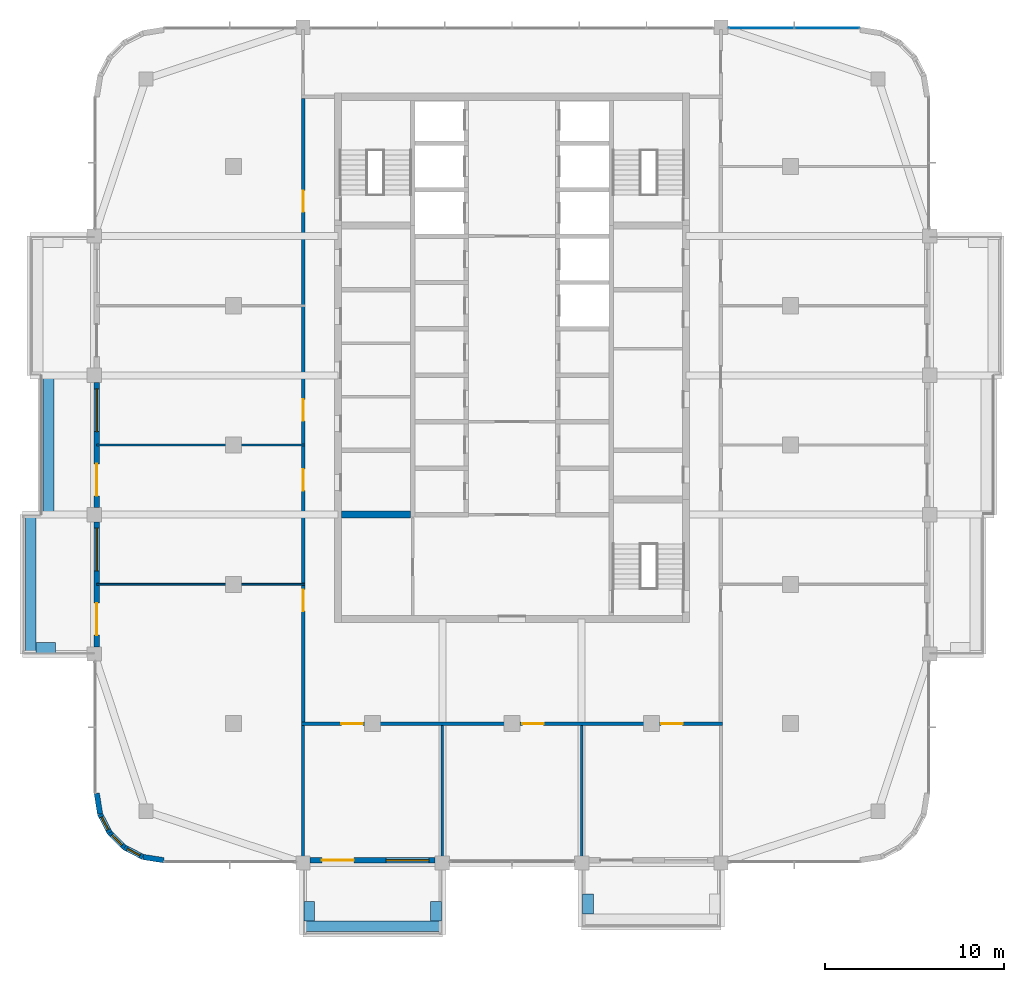
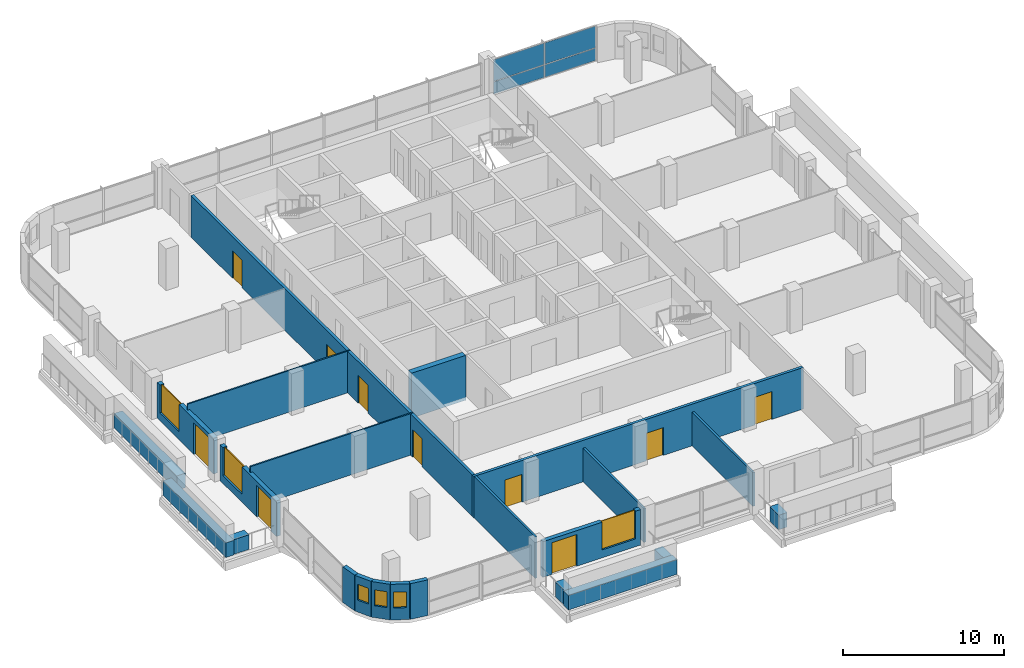
# One storey, part 12 of 22: 23 walls, 10 doors, 6 windows, 4 plates, 16 openings, 1 element without a shape of its own.
"""IFC4 building model written with IfcOpenShell, lengths in metres."""

from ifc_helpers import new_model, si_unit, direction, frame, frame_2d, origin, origin_2d, place, context, subcontext, project, spatial, rectangle, extrude, material, layer, layer_set, type_object, element, fill, aggregate, save


model = new_model("IFC4")

# Units and contexts
model_context = context("Model", 3, precision=1e-05, world=origin(), true_north=direction((0.0, 1.0)))
body_context = subcontext(model_context, "Body", "Model", "MODEL_VIEW")
ifc_project = project(units=[si_unit("LENGTHUNIT", "METRE"), si_unit("AREAUNIT", "SQUARE_METRE"), si_unit("VOLUMEUNIT", "CUBIC_METRE"), si_unit("PLANEANGLEUNIT", "RADIAN"), si_unit("MASSUNIT", "GRAM", prefix="KILO")], contexts=[model_context])

# Site, building, storey
site_placement = place(None, origin())
site = spatial("IfcSite", under=ifc_project, at=site_placement, CompositionType="ELEMENT")
building_placement = place(site_placement, origin())
building = spatial("IfcBuilding", under=site, at=building_placement, Name="Ludao Terraces", CompositionType="ELEMENT")
storey_placement = place(building_placement, frame((0.0, 0.0, 200.699951171875)))
storey = spatial("IfcBuildingStorey", under=building, at=storey_placement, Name="L54", CompositionType="ELEMENT", Elevation=200.699951171875)

# Curtain wall, plates
ifc_material_1 = material(Name="Aluminium curtain wall with fritted glass", Category="aluminium")
curtain_wall_type = type_object("IfcCurtainWallType", Name="ENV CW3 community glazing", PredefinedType="NOTDEFINED", material=ifc_material_1)
curtain_wall_placement = place(storey_placement, origin())
curtain_wall = element("IfcCurtainWall", 1, at=curtain_wall_placement, inside=storey, type_object=curtain_wall_type, Name="Community floor glazing L54 N3", PredefinedType="NOTDEFINED")
ifc_material_2 = material(Name="Fritted glass panel", Category="glass")
ifc_layer_1 = layer(ifc_material_2, 0.02392578125)
ifc_layer_set_1 = layer_set([ifc_layer_1], Name="ENV CW3 glass panel")
plate_type = type_object("IfcPlateType", Name="ENV CW3 glass panel", PredefinedType="CURTAIN_PANEL", material=ifc_layer_set_1)
plate_1_placement = place(storey_placement, frame((98.96240234375, 88.340087890625, 0.0498046875), z_axis=(0.0, 0.0, 1.0), x_axis=(1.0, 0.0, 0.0)))
plate_1 = element("IfcPlate", 2, at=plate_1_placement, type_object=plate_type, Name="CW3 panel 1.1", PredefinedType="CURTAIN_PANEL", context=body_context, shape_type="SweptSolid", body=[
    extrude(rectangle(XDim=3.625, YDim=0.02392578125, at=origin_2d()), origin(), (0.0, 0.0, 1.0), 0.925048828125),
])
plate_2_placement = place(storey_placement, frame((98.96240234375, 88.340087890625, 1.025146484375), z_axis=(0.0, 0.0, 1.0), x_axis=(1.0, 0.0, 0.0)))
plate_2 = element("IfcPlate", 3, at=plate_2_placement, type_object=plate_type, Name="CW3 panel 1.2", PredefinedType="CURTAIN_PANEL", context=body_context, shape_type="SweptSolid", body=[
    extrude(rectangle(XDim=3.625, YDim=0.02392578125, at=origin_2d()), origin(), (0.0, 0.0, 1.0), 1.625),
])
plate_3_placement = place(storey_placement, frame((102.637451171875, 88.340087890625, 0.0498046875), z_axis=(0.0, 0.0, 1.0), x_axis=(1.0, 0.0, 0.0)))
plate_3 = element("IfcPlate", 4, at=plate_3_placement, type_object=plate_type, Name="CW3 panel 2.1", PredefinedType="CURTAIN_PANEL", context=body_context, shape_type="SweptSolid", body=[
    extrude(rectangle(XDim=3.625, YDim=0.02392578125, at=origin_2d()), origin(), (0.0, 0.0, 1.0), 0.925048828125),
])
plate_4_placement = place(storey_placement, frame((102.637451171875, 88.340087890625, 1.025146484375), z_axis=(0.0, 0.0, 1.0), x_axis=(1.0, 0.0, 0.0)))
plate_4 = element("IfcPlate", 5, at=plate_4_placement, type_object=plate_type, Name="CW3 panel 2.2", PredefinedType="CURTAIN_PANEL", context=body_context, shape_type="SweptSolid", body=[
    extrude(rectangle(XDim=3.625, YDim=0.02392578125, at=origin_2d()), origin(), (0.0, 0.0, 1.0), 1.625),
])
aggregate(curtain_wall, [plate_1, plate_2, plate_3, plate_4])

# Walls
ifc_material_3 = material(Name="Concrete C40", Category="concrete")
ifc_layer_2 = layer(ifc_material_3, 0.60009765625)
ifc_layer_set_2 = layer_set([ifc_layer_2], Name="ENV Planter trough 600")
wall_type_1 = type_object("IfcWallType", Name="ENV Planter trough 600", PredefinedType="USERDEFINED", material=ifc_layer_set_2)
wall_1_placement = place(storey_placement, frame((73.300048828125, 38.050048828125, 0.0), z_axis=(0.0, 0.0, 1.0), x_axis=(1.0, 0.0, 0.0)))
element("IfcWall", 6, at=wall_1_placement, inside=storey, type_object=wall_type_1, Name="PL-L54-S1", ObjectType="PLANTER", PredefinedType="USERDEFINED", context=body_context, shape_type="SweptSolid", body=[
    extrude(rectangle(XDim=7.800048828125, YDim=0.60009765625, at=frame_2d((3.89990234375, 0.0))), origin(), (0.0, 0.0, 1.0), 1.10009765625),
])
for number, where, z_axis, x_axis, name in (
    (7, (73.64990234375, 38.35009765625, 0.0), (0.0, 0.0, 1.0), (0.0, 1.0, 0.0), "PL-L54-S1-SA"),
    (8, (80.75, 38.35009765625, 0.0), (0.0, 0.0, 1.0), (0.0, 1.0, 0.0), "PL-L54-S1-SB"),
):
    element("IfcWall", number, at=place(storey_placement, frame(where, z_axis=z_axis, x_axis=x_axis)), inside=storey, type_object=wall_type_1, Name=name, ObjectType="PLANTER", PredefinedType="USERDEFINED", context=body_context, shape_type="SweptSolid", body=[
        extrude(rectangle(XDim=1.099853515625, YDim=0.60009765625, at=frame_2d((0.5498046875, 0.0))), origin(), (0.0, 0.0, 1.0), 1.10009765625),
    ])
wall_2_placement = place(storey_placement, frame((89.25, 38.75, 0.0), z_axis=(0.0, 0.0, 1.0), x_axis=(0.0, 1.0, 0.0)))
element("IfcWall", 9, at=wall_2_placement, inside=storey, type_object=wall_type_1, Name="PL-L54-S3-SA", ObjectType="PLANTER", PredefinedType="USERDEFINED", context=body_context, shape_type="SweptSolid", body=[
    extrude(rectangle(XDim=1.10009765625, YDim=0.60009765625, at=frame_2d((0.550048828125, 0.0))), origin(), (0.0, 0.0, 1.0), 1.10009765625),
])
wall_3_placement = place(storey_placement, frame((58.050048828125, 53.300048828125, 0.0), z_axis=(0.0, 0.0, 1.0), x_axis=(0.0, 1.0, 0.0)))
element("IfcWall", 10, at=wall_3_placement, inside=storey, type_object=wall_type_1, Name="PL-L54-W1", ObjectType="PLANTER", PredefinedType="USERDEFINED", context=body_context, shape_type="SweptSolid", body=[
    extrude(rectangle(XDim=7.800048828125, YDim=0.60009765625, at=frame_2d((3.89990234375, 0.0))), origin(), (0.0, 0.0, 1.0), 1.10009765625),
])
wall_4_placement = place(storey_placement, frame((58.35009765625, 53.64990234375, 0.0), z_axis=(0.0, 0.0, 1.0), x_axis=(1.0, 0.0, 0.0)))
element("IfcWall", 11, at=wall_4_placement, inside=storey, type_object=wall_type_1, Name="PL-L54-W1-SA", ObjectType="PLANTER", PredefinedType="USERDEFINED", context=body_context, shape_type="SweptSolid", body=[
    extrude(rectangle(XDim=1.099853515625, YDim=0.60009765625, at=frame_2d((0.5498046875, 0.0))), origin(), (0.0, 0.0, 1.0), 1.10009765625),
])
wall_5_placement = place(storey_placement, frame((59.050048828125, 61.10009765625, 0.0), z_axis=(0.0, 0.0, 1.0), x_axis=(0.0, 1.0, 0.0)))
element("IfcWall", 12, at=wall_5_placement, inside=storey, type_object=wall_type_1, Name="PL-L54-W2", ObjectType="PLANTER", PredefinedType="USERDEFINED", context=body_context, shape_type="SweptSolid", body=[
    extrude(rectangle(XDim=7.7998046875, YDim=0.60009765625, at=frame_2d((3.89990234375, 0.0))), origin(), (0.0, 0.0, 1.0), 1.10009765625),
])

# Wall, openings, door, window
ifc_material_4 = material(Name="Granite cladding", Category="masonry")
ifc_layer_3 = layer(ifc_material_4, 0.0400390625, Category="stone")
ifc_material_5 = material(Name="Mineral wool")
ifc_layer_4 = layer(ifc_material_5, 0.06005859375)
ifc_layer_5 = layer(ifc_material_3, 0.199951171875, Category="concrete")
ifc_layer_set_3 = layer_set([ifc_layer_3, ifc_layer_4, ifc_layer_5], Name="ENV Stone-clad wall 300")
wall_type_2 = type_object("IfcWallType", Name="ENV Stone-clad wall 300", PredefinedType="SOLIDWALL", material=ifc_layer_set_3)
wall_6_placement = place(storey_placement, frame((73.699951171875, 41.75, 0.0), z_axis=(0.0, 0.0, 1.0), x_axis=(1.0, 0.0, 0.0)))
wall_6 = element("IfcWall", 13, at=wall_6_placement, inside=storey, type_object=wall_type_2, Name="EW-L54-S2", PredefinedType="SOLIDWALL", context=body_context, shape_type="SweptSolid", body=[
    extrude(rectangle(XDim=7.0, YDim=0.300048828125, at=frame_2d((3.5, 0.0))), origin(), (0.0, 0.0, 1.0), 2.699951171875),
])
opening_1_placement = place(wall_6_placement, frame((0.64990234375, 0.0, 0.0)))
opening_1 = element("IfcOpeningElement", 14, at=opening_1_placement, cuts=wall_6, Name="Opening BD", PredefinedType="OPENING", context=body_context, shape_type="SweptSolid", body=[
    extrude(rectangle(XDim=1.800048828125, YDim=2.39990234375, at=frame_2d((0.89990234375, 1.199951171875))), frame((0.0, 0.16015625, 0.0), z_axis=(0.0, -1.0, 0.0), x_axis=(1.0, 0.0, 0.0)), (0.0, 0.0, 1.0), 0.320068359375),
])
opening_2_placement = place(wall_6_placement, frame((4.25, 0.0, 0.60009765625)))
opening_2 = element("IfcOpeningElement", 15, at=opening_2_placement, cuts=wall_6, Name="Opening W4", PredefinedType="OPENING", context=body_context, shape_type="SweptSolid", body=[
    extrude(rectangle(XDim=2.39990234375, YDim=2.10009765625, at=frame_2d((1.199951171875, 1.050048828125))), frame((0.0, 0.16015625, 0.0), z_axis=(0.0, -1.0, 0.0), x_axis=(1.0, 0.0, 0.0)), (0.0, 0.0, 1.0), 0.320068359375),
])
ifc_material_6 = material(Name="Aluminium glazed door", Category="aluminium")
ifc_layer_6 = layer(ifc_material_6, 0.06005859375)
ifc_layer_set_4 = layer_set([ifc_layer_6], Name="ENV Balcony door BD 1800x2400")
door_type_1 = type_object("IfcDoorType", Name="ENV Balcony door BD 1800x2400", OperationType="DOUBLE_DOOR_SINGLE_SWING", PredefinedType="DOOR", material=ifc_layer_set_4)
door_1_placement = place(opening_1_placement, origin())
door_1 = element("IfcDoor", 16, at=door_1_placement, inside=storey, type_object=door_type_1, Name="BD-L54-S2-1", OperationType="DOUBLE_DOOR_SINGLE_SWING", OverallHeight=2.39990234375, OverallWidth=1.800048828125, PredefinedType="DOOR", context=body_context, shape_type="SweptSolid", body=[
    extrude(rectangle(XDim=1.800048828125, YDim=2.39990234375, at=frame_2d((0.89990234375, 1.199951171875))), frame((0.0, 0.02490234375, 0.0), z_axis=(0.0, -1.0, 0.0), x_axis=(1.0, 0.0, 0.0)), (0.0, 0.0, 1.0), 0.050048828125),
])
fill(opening_1, door_1)
ifc_material_7 = material(Name="Clear glass in aluminium frame", Category="aluminium")
ifc_layer_7 = layer(ifc_material_7, 0.06005859375)
ifc_layer_set_5 = layer_set([ifc_layer_7], Name="ENV Window W4 2400x2100")
window_type_1 = type_object("IfcWindowType", Name="ENV Window W4 2400x2100", PartitioningType="SINGLE_PANEL", PredefinedType="WINDOW", material=ifc_layer_set_5)
window_1_placement = place(opening_2_placement, origin())
window_1 = element("IfcWindow", 17, at=window_1_placement, inside=storey, type_object=window_type_1, Name="W-L54-S2-2", OverallHeight=2.10009765625, OverallWidth=2.39990234375, PartitioningType="SINGLE_PANEL", PredefinedType="WINDOW", context=body_context, shape_type="SweptSolid", body=[
    extrude(rectangle(XDim=2.39990234375, YDim=2.10009765625, at=frame_2d((1.199951171875, 1.050048828125))), frame((0.0, 0.030029296875, 0.0), z_axis=(0.0, -1.0, 0.0), x_axis=(1.0, 0.0, 0.0)), (0.0, 0.0, 1.0), 0.06005859375),
])
fill(opening_2, window_1)

wall_7_placement = place(storey_placement, frame((61.75, 53.699951171875, 0.0), z_axis=(0.0, 0.0, 1.0), x_axis=(0.0, 1.0, 0.0)))
wall_7 = element("IfcWall", 18, at=wall_7_placement, inside=storey, type_object=wall_type_2, Name="EW-L54-W2", PredefinedType="SOLIDWALL", context=body_context, shape_type="SweptSolid", body=[
    extrude(rectangle(XDim=7.0, YDim=0.300048828125, at=frame_2d((3.5, 0.0))), origin(), (0.0, 0.0, 1.0), 2.699951171875),
])
opening_3_placement = place(wall_7_placement, frame((0.64990234375, 0.0, 0.0)))
opening_3 = element("IfcOpeningElement", 19, at=opening_3_placement, cuts=wall_7, Name="Opening BD", PredefinedType="OPENING", context=body_context, shape_type="SweptSolid", body=[
    extrude(rectangle(XDim=1.800048828125, YDim=2.39990234375, at=frame_2d((0.89990234375, 1.199951171875))), frame((0.0, 0.16015625, 0.0), z_axis=(0.0, -1.0, 0.0), x_axis=(1.0, 0.0, 0.0)), (0.0, 0.0, 1.0), 0.320068359375),
])
opening_4_placement = place(wall_7_placement, frame((4.25, 0.0, 0.60009765625)))
opening_4 = element("IfcOpeningElement", 20, at=opening_4_placement, cuts=wall_7, Name="Opening W4", PredefinedType="OPENING", context=body_context, shape_type="SweptSolid", body=[
    extrude(rectangle(XDim=2.39990234375, YDim=2.10009765625, at=frame_2d((1.199951171875, 1.050048828125))), frame((0.0, 0.16015625, 0.0), z_axis=(0.0, -1.0, 0.0), x_axis=(1.0, 0.0, 0.0)), (0.0, 0.0, 1.0), 0.320068359375),
])
door_2_placement = place(opening_3_placement, origin())
door_2 = element("IfcDoor", 21, at=door_2_placement, inside=storey, type_object=door_type_1, Name="BD-L54-W2-1", OperationType="DOUBLE_DOOR_SINGLE_SWING", OverallHeight=2.39990234375, OverallWidth=1.800048828125, PredefinedType="DOOR", context=body_context, shape_type="SweptSolid", body=[
    extrude(rectangle(XDim=1.800048828125, YDim=2.39990234375, at=frame_2d((0.89990234375, 1.199951171875))), frame((0.0, 0.02490234375, 0.0), z_axis=(0.0, -1.0, 0.0), x_axis=(1.0, 0.0, 0.0)), (0.0, 0.0, 1.0), 0.050048828125),
])
fill(opening_3, door_2)
window_2_placement = place(opening_4_placement, origin())
window_2 = element("IfcWindow", 22, at=window_2_placement, inside=storey, type_object=window_type_1, Name="W-L54-W2-2", OverallHeight=2.10009765625, OverallWidth=2.39990234375, PartitioningType="SINGLE_PANEL", PredefinedType="WINDOW", context=body_context, shape_type="SweptSolid", body=[
    extrude(rectangle(XDim=2.39990234375, YDim=2.10009765625, at=frame_2d((1.199951171875, 1.050048828125))), frame((0.0, 0.030029296875, 0.0), z_axis=(0.0, -1.0, 0.0), x_axis=(1.0, 0.0, 0.0)), (0.0, 0.0, 1.0), 0.06005859375),
])
fill(opening_4, window_2)

wall_8_placement = place(storey_placement, frame((61.75, 61.5, 0.0), z_axis=(0.0, 0.0, 1.0), x_axis=(0.0, 1.0, 0.0)))
wall_8 = element("IfcWall", 23, at=wall_8_placement, inside=storey, type_object=wall_type_2, Name="EW-L54-W3", PredefinedType="SOLIDWALL", context=body_context, shape_type="SweptSolid", body=[
    extrude(rectangle(XDim=7.0, YDim=0.300048828125, at=frame_2d((3.5, 0.0))), origin(), (0.0, 0.0, 1.0), 2.699951171875),
])
opening_5_placement = place(wall_8_placement, frame((0.64990234375, 0.0, 0.0)))
opening_5 = element("IfcOpeningElement", 24, at=opening_5_placement, cuts=wall_8, Name="Opening BD", PredefinedType="OPENING", context=body_context, shape_type="SweptSolid", body=[
    extrude(rectangle(XDim=1.800048828125, YDim=2.39990234375, at=frame_2d((0.89990234375, 1.199951171875))), frame((0.0, 0.16015625, 0.0), z_axis=(0.0, -1.0, 0.0), x_axis=(1.0, 0.0, 0.0)), (0.0, 0.0, 1.0), 0.320068359375),
])
opening_6_placement = place(wall_8_placement, frame((4.25, 0.0, 0.60009765625)))
opening_6 = element("IfcOpeningElement", 25, at=opening_6_placement, cuts=wall_8, Name="Opening W4", PredefinedType="OPENING", context=body_context, shape_type="SweptSolid", body=[
    extrude(rectangle(XDim=2.39990234375, YDim=2.10009765625, at=frame_2d((1.199951171875, 1.050048828125))), frame((0.0, 0.16015625, 0.0), z_axis=(0.0, -1.0, 0.0), x_axis=(1.0, 0.0, 0.0)), (0.0, 0.0, 1.0), 0.320068359375),
])
door_3_placement = place(opening_5_placement, origin())
door_3 = element("IfcDoor", 26, at=door_3_placement, inside=storey, type_object=door_type_1, Name="BD-L54-W3-1", OperationType="DOUBLE_DOOR_SINGLE_SWING", OverallHeight=2.39990234375, OverallWidth=1.800048828125, PredefinedType="DOOR", context=body_context, shape_type="SweptSolid", body=[
    extrude(rectangle(XDim=1.800048828125, YDim=2.39990234375, at=frame_2d((0.89990234375, 1.199951171875))), frame((0.0, 0.02490234375, 0.0), z_axis=(0.0, -1.0, 0.0), x_axis=(1.0, 0.0, 0.0)), (0.0, 0.0, 1.0), 0.050048828125),
])
fill(opening_5, door_3)
window_3_placement = place(opening_6_placement, origin())
window_3 = element("IfcWindow", 27, at=window_3_placement, inside=storey, type_object=window_type_1, Name="W-L54-W3-2", OverallHeight=2.10009765625, OverallWidth=2.39990234375, PartitioningType="SINGLE_PANEL", PredefinedType="WINDOW", context=body_context, shape_type="SweptSolid", body=[
    extrude(rectangle(XDim=2.39990234375, YDim=2.10009765625, at=frame_2d((1.199951171875, 1.050048828125))), frame((0.0, 0.030029296875, 0.0), z_axis=(0.0, -1.0, 0.0), x_axis=(1.0, 0.0, 0.0)), (0.0, 0.0, 1.0), 0.06005859375),
])
fill(opening_6, window_3)

# Wall
wall_9_placement = place(storey_placement, frame((61.75, 45.5, 0.0), z_axis=(0.0, 0.0, 1.0), x_axis=(0.156496880861, -0.987678452879, 0.0)))
element("IfcWall", 28, at=wall_9_placement, inside=storey, type_object=wall_type_2, Name="EW-L54-SW1", PredefinedType="SOLIDWALL", context=body_context, shape_type="SweptSolid", body=[
    extrude(rectangle(XDim=1.173095703125, YDim=0.300048828125, at=frame_2d((0.58642578125, 0.0))), origin(), (0.0, 0.0, 1.0), 2.699951171875),
])

# Wall, opening, window
wall_10_placement = place(storey_placement, frame((61.93359375, 44.34130859375, 0.0), z_axis=(0.0, 0.0, 1.0), x_axis=(0.454025524128, -0.890988677504, 0.0)))
wall_10 = element("IfcWall", 29, at=wall_10_placement, inside=storey, type_object=wall_type_2, Name="EW-L54-SW2", PredefinedType="SOLIDWALL", context=body_context, shape_type="SweptSolid", body=[
    extrude(rectangle(XDim=1.17333984375, YDim=0.300048828125, at=frame_2d((0.586669921875, 0.0))), origin(), (0.0, 0.0, 1.0), 2.699951171875),
])
opening_7_placement = place(wall_10_placement, frame((0.1865234375, 0.0, 0.89990234375)))
opening_7 = element("IfcOpeningElement", 30, at=opening_7_placement, cuts=wall_10, Name="Opening W3", PredefinedType="OPENING", context=body_context, shape_type="SweptSolid", body=[
    extrude(rectangle(XDim=0.800048828125, YDim=1.199951171875, at=frame_2d((0.39990234375, 0.60009765625))), frame((0.0, 0.16015625, 0.0), z_axis=(0.0, -1.0, 0.0), x_axis=(1.0, 0.0, 0.0)), (0.0, 0.0, 1.0), 0.320068359375),
])
ifc_layer_8 = layer(ifc_material_7, 0.06005859375)
ifc_layer_set_6 = layer_set([ifc_layer_8], Name="ENV Window W3 800x1200")
window_type_2 = type_object("IfcWindowType", Name="ENV Window W3 800x1200", PartitioningType="SINGLE_PANEL", PredefinedType="WINDOW", material=ifc_layer_set_6)
window_4_placement = place(opening_7_placement, origin())
window_4 = element("IfcWindow", 31, at=window_4_placement, inside=storey, type_object=window_type_2, Name="W-L54-SW2", OverallHeight=1.199951171875, OverallWidth=0.800048828125, PartitioningType="SINGLE_PANEL", PredefinedType="WINDOW", context=body_context, shape_type="SweptSolid", body=[
    extrude(rectangle(XDim=0.800048828125, YDim=1.199951171875, at=frame_2d((0.39990234375, 0.60009765625))), frame((0.0, 0.030029296875, 0.0), z_axis=(0.0, -1.0, 0.0), x_axis=(1.0, 0.0, 0.0)), (0.0, 0.0, 1.0), 0.06005859375),
])
fill(opening_7, window_4)

wall_11_placement = place(storey_placement, frame((62.46630859375, 43.2958984375, 0.0), z_axis=(0.0, 0.0, 1.0), x_axis=(0.707106781187, -0.707106781187, 0.0)))
wall_11 = element("IfcWall", 32, at=wall_11_placement, inside=storey, type_object=wall_type_2, Name="EW-L54-SW3", PredefinedType="SOLIDWALL", context=body_context, shape_type="SweptSolid", body=[
    extrude(rectangle(XDim=1.173095703125, YDim=0.300048828125, at=frame_2d((0.58642578125, 0.0))), origin(), (0.0, 0.0, 1.0), 2.699951171875),
])
opening_8_placement = place(wall_11_placement, frame((0.1865234375, 0.0, 0.89990234375)))
opening_8 = element("IfcOpeningElement", 33, at=opening_8_placement, cuts=wall_11, Name="Opening W3", PredefinedType="OPENING", context=body_context, shape_type="SweptSolid", body=[
    extrude(rectangle(XDim=0.800048828125, YDim=1.199951171875, at=frame_2d((0.39990234375, 0.60009765625))), frame((0.0, 0.16015625, 0.0), z_axis=(0.0, -1.0, 0.0), x_axis=(1.0, 0.0, 0.0)), (0.0, 0.0, 1.0), 0.320068359375),
])
window_5_placement = place(opening_8_placement, origin())
window_5 = element("IfcWindow", 34, at=window_5_placement, inside=storey, type_object=window_type_2, Name="W-L54-SW3", OverallHeight=1.199951171875, OverallWidth=0.800048828125, PartitioningType="SINGLE_PANEL", PredefinedType="WINDOW", context=body_context, shape_type="SweptSolid", body=[
    extrude(rectangle(XDim=0.800048828125, YDim=1.199951171875, at=frame_2d((0.39990234375, 0.60009765625))), frame((0.0, 0.030029296875, 0.0), z_axis=(0.0, -1.0, 0.0), x_axis=(1.0, 0.0, 0.0)), (0.0, 0.0, 1.0), 0.06005859375),
])
fill(opening_8, window_5)

wall_12_placement = place(storey_placement, frame((63.2958984375, 42.46630859375, 0.0), z_axis=(0.0, 0.0, 1.0), x_axis=(0.890988677504, -0.454025524128, 0.0)))
wall_12 = element("IfcWall", 35, at=wall_12_placement, inside=storey, type_object=wall_type_2, Name="EW-L54-SW4", PredefinedType="SOLIDWALL", context=body_context, shape_type="SweptSolid", body=[
    extrude(rectangle(XDim=1.17333984375, YDim=0.300048828125, at=frame_2d((0.586669921875, 0.0))), origin(), (0.0, 0.0, 1.0), 2.699951171875),
])
opening_9_placement = place(wall_12_placement, frame((0.1865234375, 0.0, 0.89990234375)))
opening_9 = element("IfcOpeningElement", 36, at=opening_9_placement, cuts=wall_12, Name="Opening W3", PredefinedType="OPENING", context=body_context, shape_type="SweptSolid", body=[
    extrude(rectangle(XDim=0.800048828125, YDim=1.199951171875, at=frame_2d((0.39990234375, 0.60009765625))), frame((0.0, 0.16015625, 0.0), z_axis=(0.0, -1.0, 0.0), x_axis=(1.0, 0.0, 0.0)), (0.0, 0.0, 1.0), 0.320068359375),
])
window_6_placement = place(opening_9_placement, origin())
window_6 = element("IfcWindow", 37, at=window_6_placement, inside=storey, type_object=window_type_2, Name="W-L54-SW4", OverallHeight=1.199951171875, OverallWidth=0.800048828125, PartitioningType="SINGLE_PANEL", PredefinedType="WINDOW", context=body_context, shape_type="SweptSolid", body=[
    extrude(rectangle(XDim=0.800048828125, YDim=1.199951171875, at=frame_2d((0.39990234375, 0.60009765625))), frame((0.0, 0.030029296875, 0.0), z_axis=(0.0, -1.0, 0.0), x_axis=(1.0, 0.0, 0.0)), (0.0, 0.0, 1.0), 0.06005859375),
])
fill(opening_9, window_6)

# Wall
wall_13_placement = place(storey_placement, frame((64.34130859375, 41.93359375, 0.0), z_axis=(0.0, 0.0, 1.0), x_axis=(0.987678452879, -0.156496880861, 0.0)))
element("IfcWall", 38, at=wall_13_placement, inside=storey, type_object=wall_type_2, Name="EW-L54-SW5", PredefinedType="SOLIDWALL", context=body_context, shape_type="SweptSolid", body=[
    extrude(rectangle(XDim=1.173095703125, YDim=0.300048828125, at=frame_2d((0.58642578125, 0.0))), origin(), (0.0, 0.0, 1.0), 2.699951171875),
])

# Wall, openings, doors
ifc_material_8 = material(Name="Autoclaved aerated concrete block B06 A3.5", Category="concrete")
ifc_layer_9 = layer(ifc_material_8, 0.199951171875)
ifc_layer_set_7 = layer_set([ifc_layer_9], Name="INT Entrance wall 200")
wall_type_3 = type_object("IfcWallType", Name="INT Entrance wall 200", PredefinedType="PARTITIONING", material=ifc_layer_set_7)
wall_14_placement = place(storey_placement, frame((73.2001953125, 49.39990234375, 0.0), z_axis=(0.0, 0.0, 1.0), x_axis=(1.0, 0.0, 0.0)))
wall_14 = element("IfcWall", 39, at=wall_14_placement, inside=storey, type_object=wall_type_3, Name="PW-L54-PW000", PredefinedType="PARTITIONING", context=body_context, shape_type="SweptSolid", body=[
    extrude(rectangle(XDim=23.599853515625, YDim=0.199951171875, at=frame_2d((11.7998046875, 0.0))), origin(), (0.0, 0.0, 1.0), 3.150146484375),
])
opening_10_placement = place(wall_14_placement, frame((2.25, 0.0, 0.0)))
opening_10 = element("IfcOpeningElement", 40, at=opening_10_placement, cuts=wall_14, Name="Opening C3-001", PredefinedType="OPENING", context=body_context, shape_type="SweptSolid", body=[
    extrude(rectangle(XDim=1.199951171875, YDim=2.10009765625, at=frame_2d((0.60009765625, 1.050048828125))), frame((0.0, 0.10986328125, 0.0), z_axis=(0.0, -1.0, 0.0), x_axis=(1.0, 0.0, 0.0)), (0.0, 0.0, 1.0), 0.219970703125),
])
opening_11_placement = place(wall_14_placement, frame((12.375, 0.0, 0.0)))
opening_11 = element("IfcOpeningElement", 41, at=opening_11_placement, cuts=wall_14, Name="Opening C3-002", PredefinedType="OPENING", context=body_context, shape_type="SweptSolid", body=[
    extrude(rectangle(XDim=1.199951171875, YDim=2.10009765625, at=frame_2d((0.60009765625, 1.050048828125))), frame((0.0, 0.10986328125, 0.0), z_axis=(0.0, -1.0, 0.0), x_axis=(1.0, 0.0, 0.0)), (0.0, 0.0, 1.0), 0.219970703125),
])
opening_12_placement = place(wall_14_placement, frame((20.14990234375, 0.0, 0.0)))
opening_12 = element("IfcOpeningElement", 42, at=opening_12_placement, cuts=wall_14, Name="Opening C3-003", PredefinedType="OPENING", context=body_context, shape_type="SweptSolid", body=[
    extrude(rectangle(XDim=1.199951171875, YDim=2.10009765625, at=frame_2d((0.60009765625, 1.050048828125))), frame((0.0, 0.10986328125, 0.0), z_axis=(0.0, -1.0, 0.0), x_axis=(1.0, 0.0, 0.0)), (0.0, 0.0, 1.0), 0.219970703125),
])
ifc_material_9 = material(Name="Timber door leaf", Category="wood")
door_type_2 = type_object("IfcDoorType", Name="INT Double door 1200", OperationType="DOUBLE_DOOR_SINGLE_SWING", PredefinedType="DOOR", material=ifc_material_9)
door_4_placement = place(opening_10_placement, origin())
door_4 = element("IfcDoor", 43, at=door_4_placement, inside=storey, type_object=door_type_2, Name="DOOR 001", OperationType="DOUBLE_DOOR_SINGLE_SWING", OverallHeight=2.10009765625, OverallWidth=1.199951171875, PredefinedType="DOOR", context=body_context, shape_type="SweptSolid", body=[
    extrude(rectangle(XDim=1.199951171875, YDim=2.10009765625, at=frame_2d((0.60009765625, 1.050048828125))), frame((0.0, 0.02490234375, 0.0), z_axis=(0.0, -1.0, 0.0), x_axis=(1.0, 0.0, 0.0)), (0.0, 0.0, 1.0), 0.050048828125),
])
fill(opening_10, door_4)
door_5_placement = place(opening_11_placement, origin())
door_5 = element("IfcDoor", 44, at=door_5_placement, inside=storey, type_object=door_type_2, Name="DOOR 002", OperationType="DOUBLE_DOOR_SINGLE_SWING", OverallHeight=2.10009765625, OverallWidth=1.199951171875, PredefinedType="DOOR", context=body_context, shape_type="SweptSolid", body=[
    extrude(rectangle(XDim=1.199951171875, YDim=2.10009765625, at=frame_2d((0.60009765625, 1.050048828125))), frame((0.0, 0.02490234375, 0.0), z_axis=(0.0, -1.0, 0.0), x_axis=(1.0, 0.0, 0.0)), (0.0, 0.0, 1.0), 0.050048828125),
])
fill(opening_11, door_5)
door_6_placement = place(opening_12_placement, origin())
door_6 = element("IfcDoor", 45, at=door_6_placement, inside=storey, type_object=door_type_2, Name="DOOR 003", OperationType="DOUBLE_DOOR_SINGLE_SWING", OverallHeight=2.10009765625, OverallWidth=1.199951171875, PredefinedType="DOOR", context=body_context, shape_type="SweptSolid", body=[
    extrude(rectangle(XDim=1.199951171875, YDim=2.10009765625, at=frame_2d((0.60009765625, 1.050048828125))), frame((0.0, 0.02490234375, 0.0), z_axis=(0.0, -1.0, 0.0), x_axis=(1.0, 0.0, 0.0)), (0.0, 0.0, 1.0), 0.050048828125),
])
fill(opening_12, door_6)

wall_15_placement = place(storey_placement, frame((73.300048828125, 49.5, 0.0), z_axis=(0.0, 0.0, 1.0), x_axis=(0.0, 1.0, 0.0)))
wall_15 = element("IfcWall", 46, at=wall_15_placement, inside=storey, type_object=wall_type_3, Name="PW-L54-PW017", PredefinedType="PARTITIONING", context=body_context, shape_type="SweptSolid", body=[
    extrude(rectangle(XDim=34.900146484375, YDim=0.199951171875, at=frame_2d((17.4501953125, 0.0))), origin(), (0.0, 0.0, 1.0), 3.150146484375),
])
opening_13_placement = place(wall_15_placement, frame((6.2001953125, 0.0, 0.0)))
opening_13 = element("IfcOpeningElement", 47, at=opening_13_placement, cuts=wall_15, Name="Opening C3-007", PredefinedType="OPENING", context=body_context, shape_type="SweptSolid", body=[
    extrude(rectangle(XDim=1.199951171875, YDim=2.10009765625, at=frame_2d((0.60009765625, 1.050048828125))), frame((0.0, 0.10986328125, 0.0), z_axis=(0.0, -1.0, 0.0), x_axis=(1.0, 0.0, 0.0)), (0.0, 0.0, 1.0), 0.219970703125),
])
opening_14_placement = place(wall_15_placement, frame((12.9501953125, 0.0, 0.0)))
opening_14 = element("IfcOpeningElement", 48, at=opening_14_placement, cuts=wall_15, Name="Opening C3-014", PredefinedType="OPENING", context=body_context, shape_type="SweptSolid", body=[
    extrude(rectangle(XDim=1.199951171875, YDim=2.10009765625, at=frame_2d((0.60009765625, 1.050048828125))), frame((0.0, 0.10986328125, 0.0), z_axis=(0.0, -1.0, 0.0), x_axis=(1.0, 0.0, 0.0)), (0.0, 0.0, 1.0), 0.219970703125),
])
opening_15_placement = place(wall_15_placement, frame((16.85009765625, 0.0, 0.0)))
opening_15 = element("IfcOpeningElement", 49, at=opening_15_placement, cuts=wall_15, Name="Opening C3-021", PredefinedType="OPENING", context=body_context, shape_type="SweptSolid", body=[
    extrude(rectangle(XDim=1.199951171875, YDim=2.10009765625, at=frame_2d((0.60009765625, 1.050048828125))), frame((0.0, 0.10986328125, 0.0), z_axis=(0.0, -1.0, 0.0), x_axis=(1.0, 0.0, 0.0)), (0.0, 0.0, 1.0), 0.219970703125),
])
opening_16_placement = place(wall_15_placement, frame((28.550048828125, 0.0, 0.0)))
opening_16 = element("IfcOpeningElement", 50, at=opening_16_placement, cuts=wall_15, Name="Opening C3-043", PredefinedType="OPENING", context=body_context, shape_type="SweptSolid", body=[
    extrude(rectangle(XDim=1.199951171875, YDim=2.10009765625, at=frame_2d((0.60009765625, 1.050048828125))), frame((0.0, 0.10986328125, 0.0), z_axis=(0.0, -1.0, 0.0), x_axis=(1.0, 0.0, 0.0)), (0.0, 0.0, 1.0), 0.219970703125),
])
door_7_placement = place(opening_13_placement, origin())
door_7 = element("IfcDoor", 51, at=door_7_placement, inside=storey, type_object=door_type_2, Name="DOOR 007", OperationType="DOUBLE_DOOR_SINGLE_SWING", OverallHeight=2.10009765625, OverallWidth=1.199951171875, PredefinedType="DOOR", context=body_context, shape_type="SweptSolid", body=[
    extrude(rectangle(XDim=1.199951171875, YDim=2.10009765625, at=frame_2d((0.60009765625, 1.050048828125))), frame((0.0, 0.02490234375, 0.0), z_axis=(0.0, -1.0, 0.0), x_axis=(1.0, 0.0, 0.0)), (0.0, 0.0, 1.0), 0.050048828125),
])
fill(opening_13, door_7)
door_8_placement = place(opening_14_placement, origin())
door_8 = element("IfcDoor", 52, at=door_8_placement, inside=storey, type_object=door_type_2, Name="DOOR 014", OperationType="DOUBLE_DOOR_SINGLE_SWING", OverallHeight=2.10009765625, OverallWidth=1.199951171875, PredefinedType="DOOR", context=body_context, shape_type="SweptSolid", body=[
    extrude(rectangle(XDim=1.199951171875, YDim=2.10009765625, at=frame_2d((0.60009765625, 1.050048828125))), frame((0.0, 0.02490234375, 0.0), z_axis=(0.0, -1.0, 0.0), x_axis=(1.0, 0.0, 0.0)), (0.0, 0.0, 1.0), 0.050048828125),
])
fill(opening_14, door_8)
door_9_placement = place(opening_15_placement, origin())
door_9 = element("IfcDoor", 53, at=door_9_placement, inside=storey, type_object=door_type_2, Name="DOOR 021", OperationType="DOUBLE_DOOR_SINGLE_SWING", OverallHeight=2.10009765625, OverallWidth=1.199951171875, PredefinedType="DOOR", context=body_context, shape_type="SweptSolid", body=[
    extrude(rectangle(XDim=1.199951171875, YDim=2.10009765625, at=frame_2d((0.60009765625, 1.050048828125))), frame((0.0, 0.02490234375, 0.0), z_axis=(0.0, -1.0, 0.0), x_axis=(1.0, 0.0, 0.0)), (0.0, 0.0, 1.0), 0.050048828125),
])
fill(opening_15, door_9)
door_10_placement = place(opening_16_placement, origin())
door_10 = element("IfcDoor", 54, at=door_10_placement, inside=storey, type_object=door_type_2, Name="DOOR 043", OperationType="DOUBLE_DOOR_SINGLE_SWING", OverallHeight=2.10009765625, OverallWidth=1.199951171875, PredefinedType="DOOR", context=body_context, shape_type="SweptSolid", body=[
    extrude(rectangle(XDim=1.199951171875, YDim=2.10009765625, at=frame_2d((0.60009765625, 1.050048828125))), frame((0.0, 0.02490234375, 0.0), z_axis=(0.0, -1.0, 0.0), x_axis=(1.0, 0.0, 0.0)), (0.0, 0.0, 1.0), 0.050048828125),
])
fill(opening_16, door_10)

# Walls
ifc_material_10 = material(Name="Gypsum plasterboard", Category="gypsum")
ifc_layer_10 = layer(ifc_material_10, 0.012451171875, Category="gypsum")
ifc_layer_11 = layer(ifc_material_5, 0.06005859375, Name="insulation")
ifc_material_11 = material(Name="Steel Q235", Category="steel")
ifc_layer_12 = layer(ifc_material_11, 0.014892578125, Name="stud")
ifc_layer_13 = layer(ifc_material_10, 0.012451171875, Category="gypsum")
ifc_layer_set_8 = layer_set([ifc_layer_10, ifc_layer_11, ifc_layer_12, ifc_layer_13], Name="INT Partition 100")
wall_type_4 = type_object("IfcWallType", Name="INT Partition 100", PredefinedType="PARTITIONING", material=ifc_layer_set_8)
for number, where, z_axis, x_axis, name in (
    (55, (61.735107421875, 57.199951171875, 0.0), (0.0, 0.0, 1.0), (1.0, 0.0, 0.0), "PW-L54-PW001"),
    (56, (61.735107421875, 65.0, 0.0), (0.0, 0.0, 1.0), (1.0, 0.0, 0.0), "PW-L54-PW004"),
):
    element("IfcWall", number, at=place(storey_placement, frame(where, z_axis=z_axis, x_axis=x_axis)), inside=storey, type_object=wall_type_4, Name=name, PredefinedType="PARTITIONING", context=body_context, shape_type="SweptSolid", body=[
        extrude(rectangle(XDim=11.6650390625, YDim=0.10009765625, at=frame_2d((5.83251953125, 0.0))), origin(), (0.0, 0.0, 1.0), 3.150146484375),
    ])
ifc_layer_14 = layer(ifc_material_8, 0.14990234375)
ifc_layer_set_9 = layer_set([ifc_layer_14], Name="INT Party wall 150")
wall_type_5 = type_object("IfcWallType", Name="INT Party wall 150", PredefinedType="PARTITIONING", material=ifc_layer_set_9)
wall_16_placement = place(storey_placement, frame((73.300048828125, 41.735107421875, 0.0), z_axis=(0.0, 0.0, 1.0), x_axis=(0.0, 1.0, 0.0)))
element("IfcWall", 57, at=wall_16_placement, inside=storey, type_object=wall_type_5, Name="PW-L54-PW016", PredefinedType="PARTITIONING", context=body_context, shape_type="SweptSolid", body=[
    extrude(rectangle(XDim=7.56494140625, YDim=0.14990234375, at=frame_2d((3.782470703125, 0.0))), origin(), (0.0, 0.0, 1.0), 3.150146484375),
])
for number, where, z_axis, x_axis, name in (
    (58, (81.10009765625, 41.735107421875, 0.0), (0.0, 0.0, 1.0), (0.0, 1.0, 0.0), "PW-L54-PW020"),
    (59, (88.89990234375, 41.735107421875, 0.0), (0.0, 0.0, 1.0), (0.0, 1.0, 0.0), "PW-L54-PW021"),
):
    element("IfcWall", number, at=place(storey_placement, frame(where, z_axis=z_axis, x_axis=x_axis)), inside=storey, type_object=wall_type_5, Name=name, PredefinedType="PARTITIONING", context=body_context, shape_type="SweptSolid", body=[
        extrude(rectangle(XDim=7.56494140625, YDim=0.14990234375, at=frame_2d((3.782470703125, 0.0))), origin(), (0.0, 0.0, 1.0), 2.550048828125),
    ])
ifc_material_12 = material(Name="Concrete C50", Category="concrete")
ifc_layer_15 = layer(ifc_material_12, 0.39990234375)
ifc_layer_set_10 = layer_set([ifc_layer_15], Name="Shaft wall 400 C50")
wall_type_6 = type_object("IfcWallType", Name="Shaft wall 400 C50", PredefinedType="SOLIDWALL", material=ifc_layer_set_10)
wall_17_placement = place(storey_placement, frame((75.449951171875, 61.10009765625, -0.25), z_axis=(0.0, 0.0, 1.0), x_axis=(1.0, 0.0, 0.0)))
element("IfcWall", 60, at=wall_17_placement, inside=storey, type_object=wall_type_6, Name="Core wall L54 hall-W", PredefinedType="SOLIDWALL", context=body_context, shape_type="SweptSolid", body=[
    extrude(rectangle(XDim=3.875, YDim=0.39990234375, at=frame_2d((1.9375, 0.0))), origin(), (0.0, 0.0, 1.0), 3.400146484375),
])

save(model, "model.ifc")
